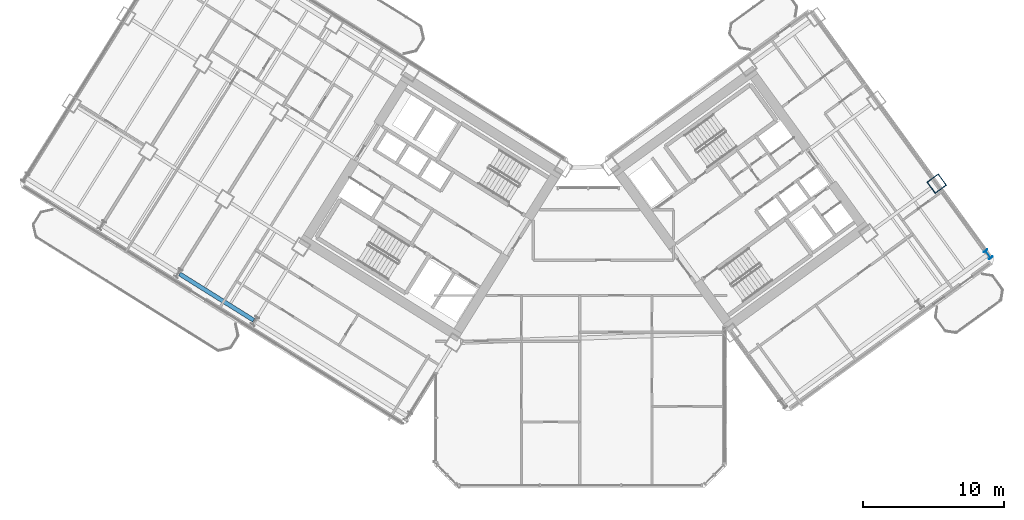
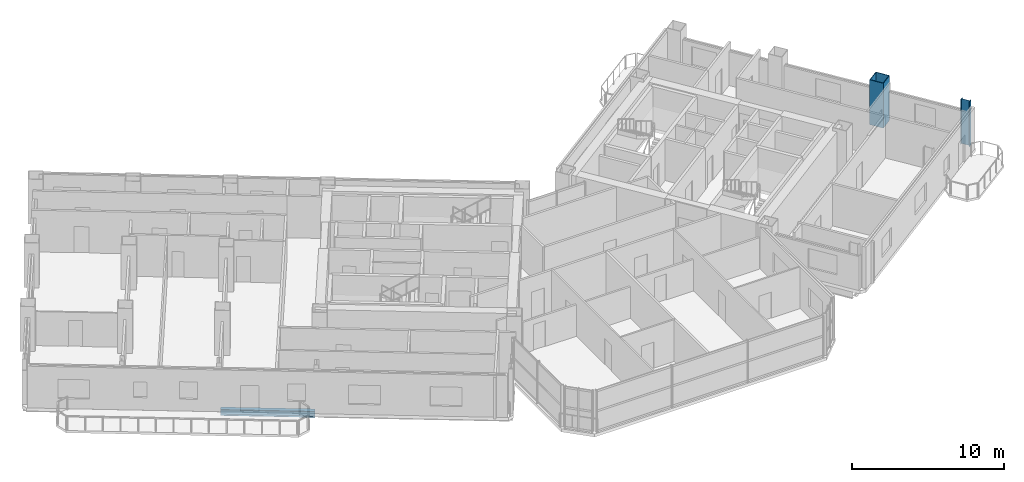
# One storey, part 4 of 28: 2 columns, 1 beam.
"""IFC4 building model written with IfcOpenShell, lengths in metres."""

from ifc_helpers import new_model, si_unit, direction, frame, origin, origin_2d, place, context, subcontext, project, spatial, hollow_rectangle, i_section, extrude, source, transform, mapped, material, material_profile, profile_set, type_object, element, save


model = new_model("IFC4")

# Units and contexts
model_context = context("Model", 3, precision=1e-05, world=origin(), true_north=direction((0.0, 1.0)))
body_context = subcontext(model_context, "Body", "Model", "MODEL_VIEW")
ifc_project = project(units=[si_unit("LENGTHUNIT", "METRE"), si_unit("AREAUNIT", "SQUARE_METRE"), si_unit("VOLUMEUNIT", "CUBIC_METRE"), si_unit("PLANEANGLEUNIT", "RADIAN"), si_unit("MASSUNIT", "GRAM", prefix="KILO")], contexts=[model_context])

# Site, building, storey
site_placement = place(None, origin())
site = spatial("IfcSite", under=ifc_project, at=site_placement, CompositionType="ELEMENT")
building_placement = place(site_placement, origin())
building = spatial("IfcBuilding", under=site, at=building_placement, Name="Tlacorven Tower", CompositionType="ELEMENT")
storey_placement = place(building_placement, frame((0.0, 0.0, 34.800048828125)))
storey = spatial("IfcBuildingStorey", under=building, at=storey_placement, Name="L08", CompositionType="ELEMENT", Elevation=34.800048828125)

# Columns
ifc_material_1 = material(Name="Steel S460M", Category="steel")
ifc_material_profile_1 = material_profile(ifc_material_1, hollow_rectangle(XDim=1.0, YDim=1.0, WallThickness=0.0400390625, at=origin_2d()), Name="BOX 1000X1000X40")
ifc_profile_set_1 = profile_set([ifc_material_profile_1], Name="Steel S460M")
column_type_1 = type_object("IfcColumnType", Name="COL-TWR-S1", PredefinedType="COLUMN", material=ifc_profile_set_1)
shared_shape_1 = source(origin(), body_context, "Body", "SweptSolid", [
    extrude(hollow_rectangle(XDim=1.0, YDim=1.0, WallThickness=0.0400390625, at=origin_2d()), origin(), (0.0, 0.0, 1.0), 3.599853515625),
])
column_1_placement = place(storey_placement, frame((67.267822265625, 23.353515625, 0.0), z_axis=(0.0, 0.0, 1.0), x_axis=(0.809016994375, 0.587785252292, 0.0)))
element("IfcColumn", 1, at=column_1_placement, inside=storey, type_object=column_type_1, Name="L08 column COL-L08-E4-2", PredefinedType="COLUMN", context=body_context, shape_type="MappedRepresentation", body=[
    mapped(shared_shape_1, transform((0.0, 0.0, 0.0), scale=1.0)),
])
ifc_material_profile_2 = material_profile(ifc_material_1, i_section(OverallWidth=0.300048828125, OverallDepth=0.64990234375, WebThickness=0.01611328125, FlangeThickness=0.031005859375, at=origin_2d()), Name="HEB 650")
ifc_profile_set_2 = profile_set([ifc_material_profile_2], Name="Steel S460M")
column_type_2 = type_object("IfcColumnType", Name="COL-TWR-P1", PredefinedType="COLUMN", material=ifc_profile_set_2)
shared_shape_2 = source(origin(), body_context, "Body", "SweptSolid", [
    extrude(i_section(OverallWidth=0.300048828125, OverallDepth=0.64990234375, WebThickness=0.01611328125, FlangeThickness=0.031005859375, at=origin_2d()), origin(), (0.0, 0.0, 1.0), 3.599853515625),
])
column_2_placement = place(storey_placement, frame((70.911865234375, 18.337646484375, 0.0), z_axis=(0.0, 0.0, 1.0), x_axis=(0.809016994375, 0.587785252292, 0.0)))
element("IfcColumn", 2, at=column_2_placement, inside=storey, type_object=column_type_2, Name="L08 column COL-L08-E4-1", PredefinedType="COLUMN", context=body_context, shape_type="MappedRepresentation", body=[
    mapped(shared_shape_2, transform((0.0, 0.0, 0.0), scale=1.0)),
])

# Beam
ifc_material_2 = material(Name="Steel S355J2", Category="steel")
ifc_material_profile_3 = material_profile(ifc_material_2, i_section(OverallWidth=0.300048828125, OverallDepth=0.489990234375, WebThickness=0.011962890625, FlangeThickness=0.02294921875, at=origin_2d()), Name="HEA 500")
ifc_profile_set_3 = profile_set([ifc_material_profile_3], Name="Steel S355J2")
beam_type = type_object("IfcBeamType", Name="BM-SPN-500", PredefinedType="SPANDREL", material=ifc_profile_set_3)
shared_shape_3 = source(origin(), body_context, "Body", "SweptSolid", [
    extrude(i_section(OverallWidth=0.300048828125, OverallDepth=0.489990234375, WebThickness=0.011962890625, FlangeThickness=0.02294921875, at=origin_2d()), origin(), (0.0, 0.0, 1.0), 6.199951171875),
])
beam_placement = place(storey_placement, frame((18.82080078125, 13.6650390625, -0.4951171875), z_axis=(-0.848051394107, 0.529913986372, 0.0), x_axis=(-0.529913986372, -0.848051394107, 0.0)))
element("IfcBeam", 3, at=beam_placement, inside=storey, type_object=beam_type, Name="L08 beam BM-L08-WL4-3", PredefinedType="SPANDREL", context=body_context, shape_type="MappedRepresentation", body=[
    mapped(shared_shape_3, transform((0.0, 0.0, 0.0), scale=1.0)),
])

save(model, "model.ifc")
